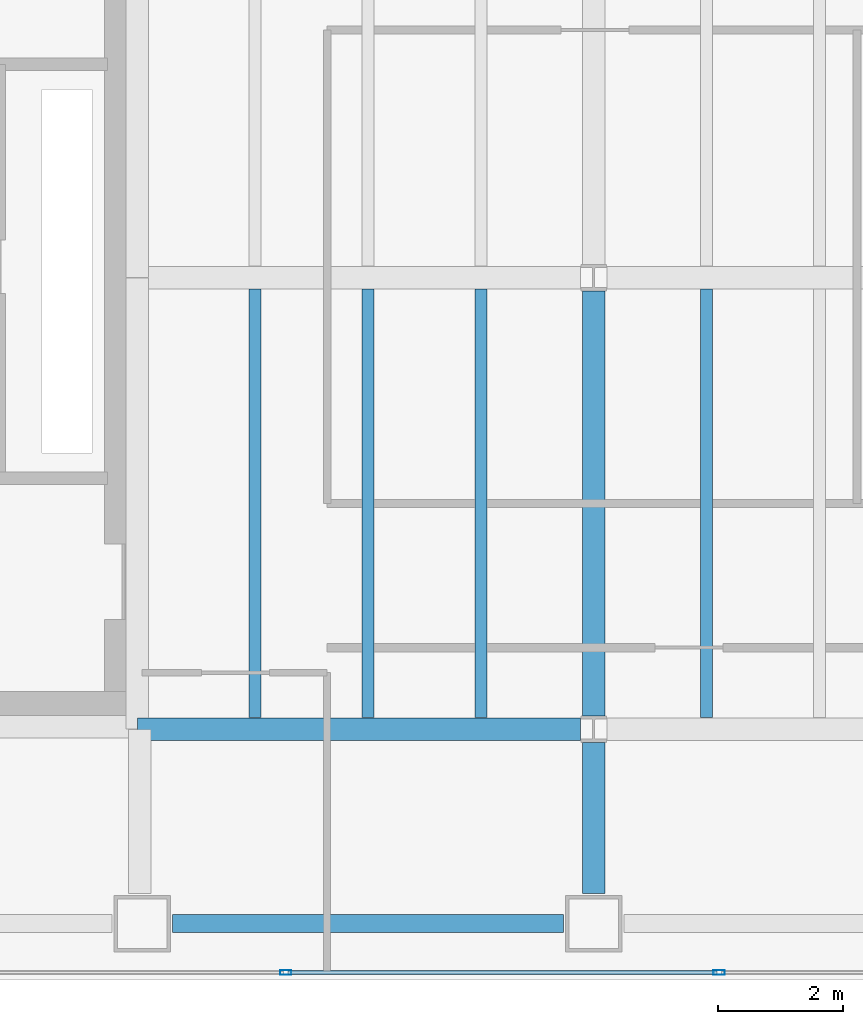
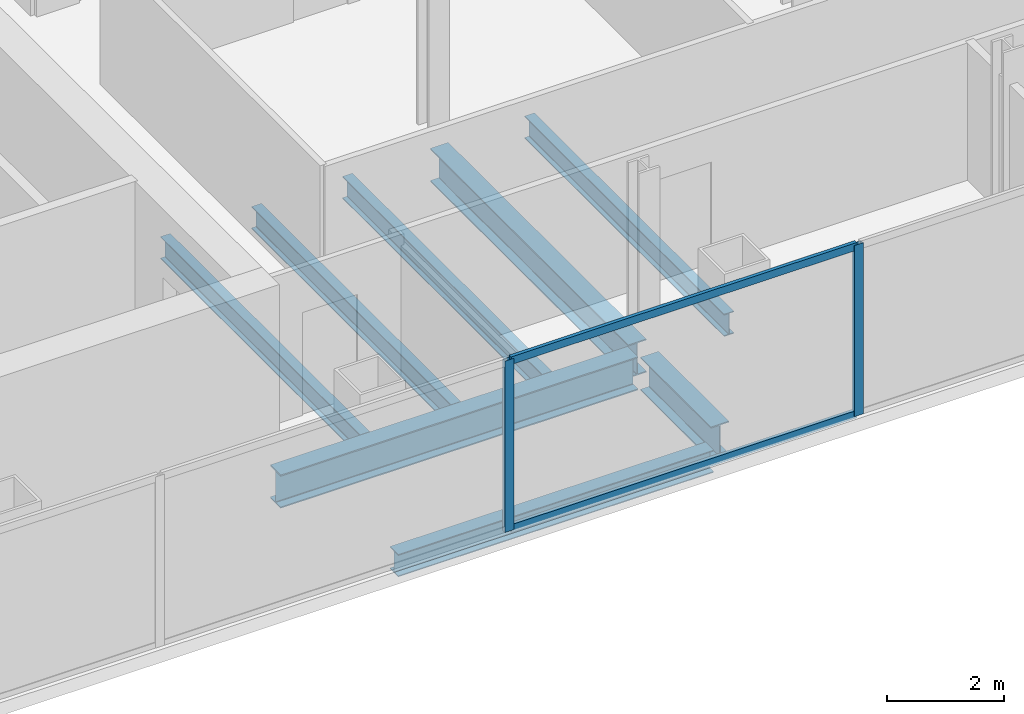
# One storey, part 4 of 23: 8 beams, 4 members, 1 element without a shape of its own.
"""IFC4 building model written with IfcOpenShell, lengths in metres."""

from ifc_helpers import new_model, si_unit, direction, frame, origin, origin_2d, place, context, subcontext, project, spatial, hollow_rectangle, i_section, extrude, material, material_profile, profile_set, type_object, element, aggregate, save


model = new_model("IFC4")

# Units and contexts
model_context = context("Model", 3, precision=1e-05, world=origin(), true_north=direction((0.0, 1.0)))
body_context = subcontext(model_context, "Body", "Model", "MODEL_VIEW")
ifc_project = project(units=[si_unit("LENGTHUNIT", "METRE"), si_unit("AREAUNIT", "SQUARE_METRE"), si_unit("VOLUMEUNIT", "CUBIC_METRE"), si_unit("PLANEANGLEUNIT", "RADIAN"), si_unit("MASSUNIT", "GRAM", prefix="KILO")], contexts=[model_context])

# Site, building, storey
site_placement = place(None, origin())
site = spatial("IfcSite", under=ifc_project, at=site_placement, CompositionType="ELEMENT")
building_placement = place(site_placement, origin())
building = spatial("IfcBuilding", under=site, at=building_placement, Name="Cobrela Telecom Tower", CompositionType="ELEMENT")
storey_placement = place(building_placement, frame((0.0, 0.0, 117.60009765625)))
storey = spatial("IfcBuildingStorey", under=building, at=storey_placement, Name="L29", CompositionType="ELEMENT", Elevation=117.60009765625)

# Beams
ifc_material_1 = material(Name="Steel ASTM A992 Grade 50", Category="steel")
ifc_material_profile_1 = material_profile(ifc_material_1, i_section(OverallWidth=0.35595703125, OverallDepth=0.696044921875, WebThickness=0.015380859375, FlangeThickness=0.024658203125, FilletRadius=0.01806640625, at=origin_2d()), Name="W27X146")
ifc_profile_set_1 = profile_set([ifc_material_profile_1], Name="Steel ASTM A992 Grade 50")
beam_type_1 = type_object("IfcBeamType", Name="BM-GIRD-05", PredefinedType="USERDEFINED", material=ifc_profile_set_1)
beam_1_placement = place(storey_placement, frame((14.324951171875, 7.199951171875, -0.6181640625), z_axis=(1.0, 0.0, 0.0), x_axis=(0.0, 1.0, 0.0)))
element("IfcBeam", 1, at=beam_1_placement, inside=storey, type_object=beam_type_1, Name="L29 Primary Girder X08", ObjectType="GIRDER", PredefinedType="USERDEFINED", context=body_context, shape_type="SweptSolid", body=[
    extrude(i_section(OverallWidth=0.35595703125, OverallDepth=0.696044921875, WebThickness=0.015380859375, FlangeThickness=0.024658203125, FilletRadius=0.01806640625, at=origin_2d()), origin(), (0.0, 0.0, 1.0), 7.0654296875),
])
beam_2_placement = place(storey_placement, frame((21.60009765625, 4.580078125, -0.6181640625), z_axis=(0.0, 1.0, 0.0), x_axis=(-1.0, 0.0, 0.0)))
element("IfcBeam", 2, at=beam_2_placement, inside=storey, type_object=beam_type_1, Name="L29 Primary Girder Y39", ObjectType="GIRDER", PredefinedType="USERDEFINED", context=body_context, shape_type="SweptSolid", body=[
    extrude(i_section(OverallWidth=0.35595703125, OverallDepth=0.696044921875, WebThickness=0.015380859375, FlangeThickness=0.024658203125, FilletRadius=0.01806640625, at=origin_2d()), origin(), (0.0, 0.0, 1.0), 2.410400390625),
])
beam_3_placement = place(storey_placement, frame((21.60009765625, 7.409423828125, -0.6181640625), z_axis=(0.0, 1.0, 0.0), x_axis=(-1.0, 0.0, 0.0)))
element("IfcBeam", 3, at=beam_3_placement, inside=storey, type_object=beam_type_1, Name="L29 Primary Girder Y40", ObjectType="GIRDER", PredefinedType="USERDEFINED", context=body_context, shape_type="SweptSolid", body=[
    extrude(i_section(OverallWidth=0.35595703125, OverallDepth=0.696044921875, WebThickness=0.015380859375, FlangeThickness=0.024658203125, FilletRadius=0.01806640625, at=origin_2d()), origin(), (0.0, 0.0, 1.0), 6.781005859375),
])
ifc_material_profile_2 = material_profile(ifc_material_1, i_section(OverallWidth=0.193115234375, OverallDepth=0.467041015625, WebThickness=0.011474609375, FlangeThickness=0.01904296875, FilletRadius=0.012939453125, at=origin_2d()), Name="W18X65")
ifc_profile_set_2 = profile_set([ifc_material_profile_2], Name="Steel ASTM A992 Grade 50")
beam_type_2 = type_object("IfcBeamType", Name="BM-JOIST-03", PredefinedType="JOIST", material=ifc_profile_set_2)
for number, where, z_axis, x_axis, name in (
    (4, (16.199951171875, 7.383056640625, -0.503662109375), (0.0, 1.0, 0.0), (-1.0, 0.0, 0.0), "L29 Secondary Composite Floor Beam J04"),
    (5, (18.0, 7.383056640625, -0.503662109375), (0.0, 1.0, 0.0), (-1.0, 0.0, 0.0), "L29 Secondary Composite Floor Beam J09"),
    (6, (19.800048828125, 7.383056640625, -0.503662109375), (0.0, 1.0, 0.0), (-1.0, 0.0, 0.0), "L29 Secondary Composite Floor Beam J14"),
    (7, (23.39990234375, 7.383056640625, -0.503662109375), (0.0, 1.0, 0.0), (-1.0, 0.0, 0.0), "L29 Secondary Composite Floor Beam J19"),
):
    element("IfcBeam", number, at=place(storey_placement, frame(where, z_axis=z_axis, x_axis=x_axis)), inside=storey, type_object=beam_type_2, Name=name, PredefinedType="JOIST", context=body_context, shape_type="SweptSolid", body=[
        extrude(i_section(OverallWidth=0.193115234375, OverallDepth=0.467041015625, WebThickness=0.011474609375, FlangeThickness=0.01904296875, FilletRadius=0.012939453125, at=origin_2d()), origin(), (0.0, 0.0, 1.0), 6.833984375),
    ])
ifc_material_profile_3 = material_profile(ifc_material_1, i_section(OverallWidth=0.281982421875, OverallDepth=0.467041015625, WebThickness=0.01220703125, FlangeThickness=0.01953125, FilletRadius=0.012939453125, at=origin_2d()), Name="W18X86")
ifc_profile_set_3 = profile_set([ifc_material_profile_3], Name="Steel ASTM A992 Grade 50")
beam_type_3 = type_object("IfcBeamType", Name="BM-SPAND-04", PredefinedType="SPANDREL", material=ifc_profile_set_3)
beam_4_placement = place(storey_placement, frame((14.8798828125, 4.10009765625, -0.503662109375), z_axis=(1.0, 0.0, 0.0), x_axis=(0.0, 1.0, 0.0)))
element("IfcBeam", 8, at=beam_4_placement, inside=storey, type_object=beam_type_3, Name="L29 Perimeter Spandrel X02", PredefinedType="SPANDREL", context=body_context, shape_type="SweptSolid", body=[
    extrude(i_section(OverallWidth=0.281982421875, OverallDepth=0.467041015625, WebThickness=0.01220703125, FlangeThickness=0.01953125, FilletRadius=0.012939453125, at=origin_2d()), origin(), (0.0, 0.0, 1.0), 6.240234375),
])

# Curtain wall, members
ifc_material_2 = material(Name="Anodized Bronze Aluminium 6063-T6", Category="aluminium")
curtain_wall_type = type_object("IfcCurtainWallType", Name="CW-SYS-TEL", PredefinedType="USERDEFINED", material=ifc_material_2)
curtain_wall_placement = place(storey_placement, origin())
curtain_wall = element("IfcCurtainWall", 9, at=curtain_wall_placement, inside=storey, type_object=curtain_wall_type, Name="L29 Unitised Bronze Curtain Wall 17", ObjectType="UNITISED CURTAIN WALL", PredefinedType="USERDEFINED")
ifc_material_profile_4 = material_profile(ifc_material_2, hollow_rectangle(XDim=0.074951171875, YDim=0.179931640625, WallThickness=0.00390625, at=origin_2d()), Name="ALU 75x180x4")
ifc_profile_set_4 = profile_set([ifc_material_profile_4], Name="Anodized Bronze Aluminium 6063-T6")
member_type_1 = type_object("IfcMemberType", Name="CW-SYS-TEL-MUL", PredefinedType="MULLION", material=ifc_profile_set_4)
member_1_placement = place(storey_placement, frame((23.60009765625, 3.320068359375, 0.0), z_axis=(0.0, 0.0, 1.0), x_axis=(0.0, -1.0, 0.0)))
member_1 = element("IfcMember", 10, at=member_1_placement, type_object=member_type_1, Name="CW-TEL mullion 4", PredefinedType="MULLION", context=body_context, shape_type="SweptSolid", body=[
    extrude(hollow_rectangle(XDim=0.074951171875, YDim=0.179931640625, WallThickness=0.00390625, at=origin_2d()), origin(), (0.0, 0.0, 1.0), 3.579833984375),
])
member_2_placement = place(storey_placement, frame((16.68994140625, 3.320068359375, 0.0), z_axis=(0.0, 0.0, 1.0), x_axis=(0.0, -1.0, 0.0)))
member_2 = element("IfcMember", 11, at=member_2_placement, type_object=member_type_1, Name="CW-TEL mullion 5", PredefinedType="MULLION", context=body_context, shape_type="SweptSolid", body=[
    extrude(hollow_rectangle(XDim=0.074951171875, YDim=0.179931640625, WallThickness=0.00390625, at=origin_2d()), origin(), (0.0, 0.0, 1.0), 3.579833984375),
])
ifc_material_profile_5 = material_profile(ifc_material_2, hollow_rectangle(XDim=0.070068359375, YDim=0.159912109375, WallThickness=0.00390625, at=origin_2d()), Name="ALU 70x160x4")
ifc_profile_set_5 = profile_set([ifc_material_profile_5], Name="Anodized Bronze Aluminium 6063-T6")
member_type_2 = type_object("IfcMemberType", Name="CW-SYS-TEL-TRN", PredefinedType="USERDEFINED", material=ifc_profile_set_5)
member_3_placement = place(storey_placement, frame((23.5625, 3.320068359375, 0.034912109375), z_axis=(-1.0, 0.0, 0.0), x_axis=(0.0, -1.0, 0.0)))
member_3 = element("IfcMember", 12, at=member_3_placement, type_object=member_type_2, Name="CW-TEL transom 4.1", ObjectType="TRANSOM", PredefinedType="USERDEFINED", context=body_context, shape_type="SweptSolid", body=[
    extrude(hollow_rectangle(XDim=0.070068359375, YDim=0.159912109375, WallThickness=0.00390625, at=origin_2d()), origin(), (0.0, 0.0, 1.0), 6.8349609375),
])
member_4_placement = place(storey_placement, frame((23.5625, 3.320068359375, 3.544921875), z_axis=(-1.0, 0.0, 0.0), x_axis=(0.0, -1.0, 0.0)))
member_4 = element("IfcMember", 13, at=member_4_placement, type_object=member_type_2, Name="CW-TEL transom 4.2", ObjectType="TRANSOM", PredefinedType="USERDEFINED", context=body_context, shape_type="SweptSolid", body=[
    extrude(hollow_rectangle(XDim=0.070068359375, YDim=0.159912109375, WallThickness=0.00390625, at=origin_2d()), origin(), (0.0, 0.0, 1.0), 6.8349609375),
])
aggregate(curtain_wall, [member_1, member_2, member_3, member_4])

save(model, "model.ifc")
